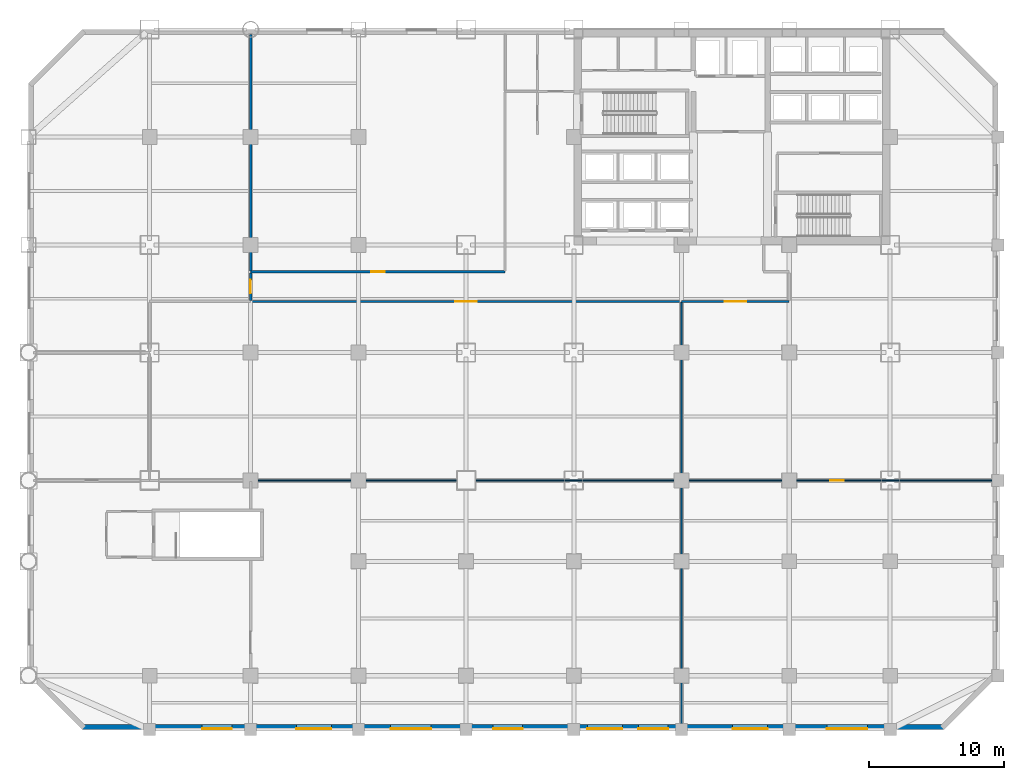
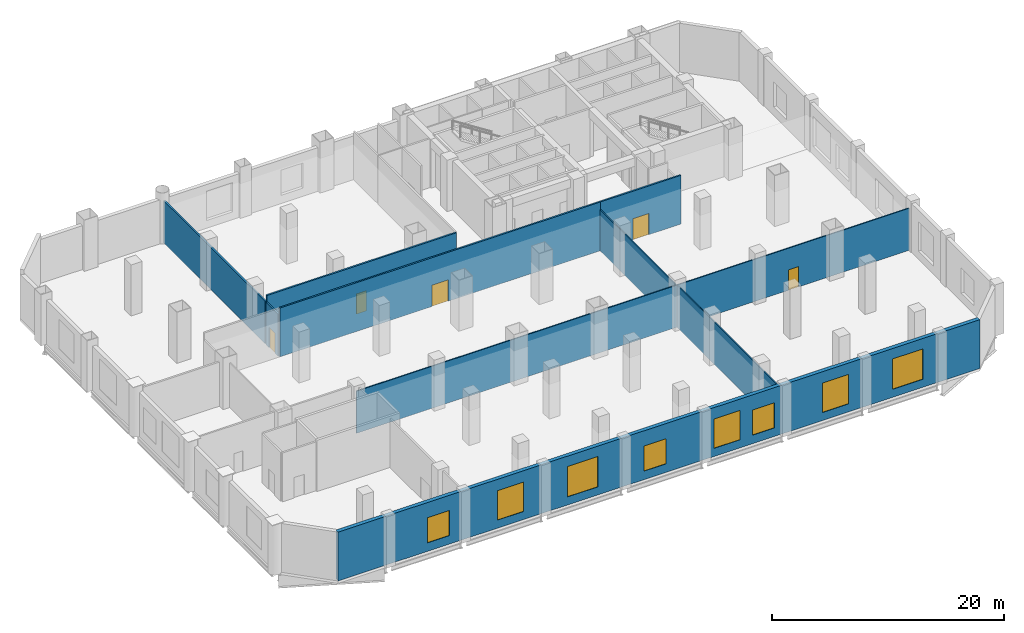
# One storey, part 5 of 9: 10 walls, 8 windows, 5 doors, 13 openings.
"""IFC4 building model written with IfcOpenShell, lengths in metres."""

from ifc_helpers import new_model, si_unit, direction, frame, frame_2d, origin, place, context, subcontext, project, spatial, rectangle, extrude, material, layer, layer_set, type_object, element, fill, save


model = new_model("IFC4")

# Units and contexts
model_context = context("Model", 3, precision=1e-05, world=origin(), true_north=direction((0.0, 1.0)))
body_context = subcontext(model_context, "Body", "Model", "MODEL_VIEW")
ifc_project = project(units=[si_unit("LENGTHUNIT", "METRE"), si_unit("AREAUNIT", "SQUARE_METRE"), si_unit("VOLUMEUNIT", "CUBIC_METRE"), si_unit("PLANEANGLEUNIT", "RADIAN"), si_unit("MASSUNIT", "GRAM", prefix="KILO")], contexts=[model_context])

# Site, building, storey
site_placement = place(None, origin())
site = spatial("IfcSite", under=ifc_project, at=site_placement, CompositionType="ELEMENT")
building_placement = place(site_placement, origin())
building = spatial("IfcBuilding", under=site, at=building_placement, Name="Qianrong Seaharbour Tower", CompositionType="ELEMENT")
storey_placement = place(building_placement, frame((0.0, 0.0, 22.800048828125)))
storey = spatial("IfcBuildingStorey", under=building, at=storey_placement, Name="L05", CompositionType="ELEMENT", Elevation=22.800048828125)

# Wall, opening, door
ifc_material_1 = material(Name="Fire-rated acoustic gypsum board partition")
ifc_layer_1 = layer(ifc_material_1, 0.1650390625)
ifc_layer_set_1 = layer_set([ifc_layer_1], Name="Fire-rated acoustic gypsum board partition")
wall_type_1 = type_object("IfcWallType", Name="WALL-CORR-PART-165", PredefinedType="PARTITIONING", material=ifc_layer_set_1)
wall_1_placement = place(storey_placement, frame((48.5, 31.800048828125, 0.0), z_axis=(0.0, 0.0, 1.0), x_axis=(-1.0, 0.0, 0.0)))
wall_1 = element("IfcWall", 1, at=wall_1_placement, inside=storey, type_object=wall_type_1, Name="L05 Interior Partition Wall 017", PredefinedType="PARTITIONING", context=body_context, shape_type="SweptSolid", body=[
    extrude(rectangle(XDim=32.0, YDim=0.1650390625, at=frame_2d((16.0, 0.0))), origin(), (0.0, 0.0, 1.0), 5.14990234375),
])
opening_1_placement = place(wall_1_placement, frame((15.199951171875, 0.0, 0.0)))
opening_1 = element("IfcOpeningElement", 2, at=opening_1_placement, cuts=wall_1, Name="Opening DL-01", PredefinedType="OPENING", context=body_context, shape_type="SweptSolid", body=[
    extrude(rectangle(XDim=1.60009765625, YDim=2.25, at=frame_2d((0.800048828125, 1.125))), frame((0.0, 0.092529296875, 0.0), z_axis=(0.0, -1.0, 0.0), x_axis=(1.0, 0.0, 0.0)), (0.0, 0.0, 1.0), 0.18505859375),
])
ifc_material_2 = material(Name="Acoustic timber and galvanized steel fire door assembly", Category="steel")
door_type_1 = type_object("IfcDoorType", Name="DOOR-LOBBY-PAIR-1600x2250", OperationType="DOUBLE_DOOR_SINGLE_SWING", PredefinedType="DOOR", material=ifc_material_2)
door_1_placement = place(opening_1_placement, origin())
door_1 = element("IfcDoor", 3, at=door_1_placement, inside=storey, type_object=door_type_1, Name="L05 Staff Restaurant Door", OperationType="DOUBLE_DOOR_SINGLE_SWING", OverallHeight=2.25, OverallWidth=1.60009765625, PredefinedType="DOOR", context=body_context, shape_type="SweptSolid", body=[
    extrude(rectangle(XDim=1.60009765625, YDim=2.25, at=frame_2d((0.800048828125, 1.125))), frame((0.0, 0.02490234375, 0.0), z_axis=(0.0, -1.0, 0.0), x_axis=(1.0, 0.0, 0.0)), (0.0, 0.0, 1.0), 0.050048828125),
])
fill(opening_1, door_1)

wall_2_placement = place(storey_placement, frame((56.5, 31.800048828125, 0.0), z_axis=(0.0, 0.0, 1.0), x_axis=(-1.0, 0.0, 0.0)))
wall_2 = element("IfcWall", 4, at=wall_2_placement, inside=storey, type_object=wall_type_1, Name="L05 Interior Partition Wall 022", PredefinedType="PARTITIONING", context=body_context, shape_type="SweptSolid", body=[
    extrude(rectangle(XDim=8.0, YDim=0.1650390625, at=frame_2d((4.0, 0.0))), origin(), (0.0, 0.0, 1.0), 5.14990234375),
])
opening_2_placement = place(wall_2_placement, frame((3.199951171875, 0.0, 0.0)))
opening_2 = element("IfcOpeningElement", 5, at=opening_2_placement, cuts=wall_2, Name="Opening DL-01", PredefinedType="OPENING", context=body_context, shape_type="SweptSolid", body=[
    extrude(rectangle(XDim=1.60009765625, YDim=2.25, at=frame_2d((0.800048828125, 1.125))), frame((0.0, 0.092529296875, 0.0), z_axis=(0.0, -1.0, 0.0), x_axis=(1.0, 0.0, 0.0)), (0.0, 0.0, 1.0), 0.18505859375),
])
door_2_placement = place(opening_2_placement, origin())
door_2 = element("IfcDoor", 6, at=door_2_placement, inside=storey, type_object=door_type_1, Name="L05 Executive Dining Room Door", OperationType="DOUBLE_DOOR_SINGLE_SWING", OverallHeight=2.25, OverallWidth=1.60009765625, PredefinedType="DOOR", context=body_context, shape_type="SweptSolid", body=[
    extrude(rectangle(XDim=1.60009765625, YDim=2.25, at=frame_2d((0.800048828125, 1.125))), frame((0.0, 0.02490234375, 0.0), z_axis=(0.0, -1.0, 0.0), x_axis=(1.0, 0.0, 0.0)), (0.0, 0.0, 1.0), 0.050048828125),
])
fill(opening_2, door_2)

wall_3_placement = place(storey_placement, frame((16.5, 34.0, 0.0), z_axis=(0.0, 0.0, 1.0), x_axis=(1.0, 0.0, 0.0)))
wall_3 = element("IfcWall", 7, at=wall_3_placement, inside=storey, type_object=wall_type_1, Name="L05 Interior Partition Wall 023", PredefinedType="PARTITIONING", context=body_context, shape_type="SweptSolid", body=[
    extrude(rectangle(XDim=18.89990234375, YDim=0.1650390625, at=frame_2d((9.449951171875, 0.0))), origin(), (0.0, 0.0, 1.0), 5.14990234375),
])
opening_3_placement = place(wall_3_placement, frame((8.949951171875, 0.0, 0.0)))
opening_3 = element("IfcOpeningElement", 8, at=opening_3_placement, cuts=wall_3, Name="Opening DO-01", PredefinedType="OPENING", context=body_context, shape_type="SweptSolid", body=[
    extrude(rectangle(XDim=1.0, YDim=2.14990234375, at=frame_2d((0.5, 1.074951171875))), frame((0.0, 0.092529296875, 0.0), z_axis=(0.0, -1.0, 0.0), x_axis=(1.0, 0.0, 0.0)), (0.0, 0.0, 1.0), 0.18505859375),
])
door_type_2 = type_object("IfcDoorType", Name="DOOR-OFFICE-1000x2150", OperationType="NOTDEFINED", PredefinedType="DOOR", material=ifc_material_2)
door_3_placement = place(opening_3_placement, origin())
door_3 = element("IfcDoor", 9, at=door_3_placement, inside=storey, type_object=door_type_2, Name="L05 Catering Management Open-Plan Office Door", OperationType="SINGLE_SWING_LEFT", OverallHeight=2.14990234375, OverallWidth=1.0, PredefinedType="DOOR", context=body_context, shape_type="SweptSolid", body=[
    extrude(rectangle(XDim=1.0, YDim=2.14990234375, at=frame_2d((0.5, 1.074951171875))), frame((0.0, 0.02490234375, 0.0), z_axis=(0.0, -1.0, 0.0), x_axis=(1.0, 0.0, 0.0)), (0.0, 0.0, 1.0), 0.050048828125),
])
fill(opening_3, door_3)

# Walls
ifc_material_3 = material(Name="Demountable aluminium-framed acoustic office partition", Category="aluminium")
ifc_layer_2 = layer(ifc_material_3, 0.110107421875)
ifc_layer_set_2 = layer_set([ifc_layer_2], Name="Demountable aluminium-framed acoustic office partition")
wall_type_2 = type_object("IfcWallType", Name="WALL-DEMOUNT-110", PredefinedType="MOVABLE", material=ifc_layer_set_2)
wall_4_placement = place(storey_placement, frame((48.5, 18.5, 0.0), z_axis=(0.0, 0.0, 1.0), x_axis=(-1.0, 0.0, 0.0)))
element("IfcWall", 10, at=wall_4_placement, inside=storey, type_object=wall_type_2, Name="L05 Interior Partition Wall 025", PredefinedType="MOVABLE", context=body_context, shape_type="SweptSolid", body=[
    extrude(rectangle(XDim=32.0, YDim=0.110107421875, at=frame_2d((16.0, 0.0))), origin(), (0.0, 0.0, 1.0), 4.44189453125),
])
wall_5_placement = place(storey_placement, frame((48.5, 31.7255859375, 0.0), z_axis=(0.0, 0.0, 1.0), x_axis=(0.0, -1.0, 0.0)))
element("IfcWall", 11, at=wall_5_placement, inside=storey, type_object=wall_type_2, Name="L05 Interior Partition Wall 029", PredefinedType="MOVABLE", context=body_context, shape_type="SweptSolid", body=[
    extrude(rectangle(XDim=13.178466796875, YDim=0.110107421875, at=frame_2d((6.58935546875, 0.0))), origin(), (0.0, 0.0, 1.0), 4.342041015625),
])
wall_6_placement = place(storey_placement, frame((48.5, 18.452880859375, 0.0), z_axis=(0.0, 0.0, 1.0), x_axis=(0.0, -1.0, 0.0)))
element("IfcWall", 12, at=wall_6_placement, inside=storey, type_object=wall_type_2, Name="L05 Interior Partition Wall 031", PredefinedType="MOVABLE", context=body_context, shape_type="SweptSolid", body=[
    extrude(rectangle(XDim=18.080810546875, YDim=0.110107421875, at=frame_2d((9.04052734375, 0.0))), origin(), (0.0, 0.0, 1.0), 4.44189453125),
])

# Wall, opening, door
wall_7_placement = place(storey_placement, frame((71.6279296875, 18.5, 0.0), z_axis=(0.0, 0.0, 1.0), x_axis=(-1.0, 0.0, 0.0)))
wall_7 = element("IfcWall", 13, at=wall_7_placement, inside=storey, type_object=wall_type_2, Name="L05 Interior Partition Wall 037", PredefinedType="MOVABLE", context=body_context, shape_type="SweptSolid", body=[
    extrude(rectangle(XDim=23.1279296875, YDim=0.110107421875, at=frame_2d((11.56396484375, 0.0))), origin(), (0.0, 0.0, 1.0), 4.44189453125),
])
opening_4_placement = place(wall_7_placement, frame((11.06396484375, 0.0, 0.0)))
opening_4 = element("IfcOpeningElement", 14, at=opening_4_placement, cuts=wall_7, Name="Opening DO-01", PredefinedType="OPENING", context=body_context, shape_type="SweptSolid", body=[
    extrude(rectangle(XDim=1.0, YDim=2.14990234375, at=frame_2d((0.5, 1.074951171875))), frame((0.0, 0.06494140625, 0.0), z_axis=(0.0, -1.0, 0.0), x_axis=(1.0, 0.0, 0.0)), (0.0, 0.0, 1.0), 0.130126953125),
])
door_4_placement = place(opening_4_placement, origin())
door_4 = element("IfcDoor", 15, at=door_4_placement, inside=storey, type_object=door_type_2, Name="L05 Staff Tea Lounge Door", OperationType="SINGLE_SWING_RIGHT", OverallHeight=2.14990234375, OverallWidth=1.0, PredefinedType="DOOR", context=body_context, shape_type="SweptSolid", body=[
    extrude(rectangle(XDim=1.0, YDim=2.14990234375, at=frame_2d((0.5, 1.074951171875))), frame((0.0, 0.02490234375, 0.0), z_axis=(0.0, -1.0, 0.0), x_axis=(1.0, 0.0, 0.0)), (0.0, 0.0, 1.0), 0.050048828125),
])
fill(opening_4, door_4)

# Wall, openings, windows
ifc_material_4 = material(Name="Natural honed granite dimension stone", Category="masonry")
ifc_layer_3 = layer(ifc_material_4, 0.3798828125)
ifc_layer_set_3 = layer_set([ifc_layer_3], Name="Natural honed granite dimension stone")
wall_type_3 = type_object("IfcWallType", Name="WALL-EXT-GRANITE-380", PredefinedType="SOLIDWALL", material=ifc_layer_set_3)
wall_8_placement = place(storey_placement, frame((68.0, 0.18994140625, 0.0), z_axis=(0.0, 0.0, 1.0), x_axis=(-1.0, 0.0, 0.0)))
wall_8 = element("IfcWall", 16, at=wall_8_placement, inside=storey, type_object=wall_type_3, Name="L05 Exterior Masonry Facade Wall SOUTH_TIP", PredefinedType="SOLIDWALL", context=body_context, shape_type="SweptSolid", body=[
    extrude(rectangle(XDim=64.0, YDim=0.3798828125, at=frame_2d((32.0, 0.0))), origin(), (0.0, 0.0, 1.0), 5.14990234375),
])
opening_5_placement = place(wall_8_placement, frame((5.699951171875, 0.0, 0.85009765625)))
opening_5 = element("IfcOpeningElement", 17, at=opening_5_placement, cuts=wall_8, Name="Opening WN-12", PredefinedType="OPENING", context=body_context, shape_type="SweptSolid", body=[
    extrude(rectangle(XDim=3.0, YDim=3.199951171875, at=frame_2d((1.5, 1.60009765625))), frame((0.0, 0.199951171875, 0.0), z_axis=(0.0, -1.0, 0.0), x_axis=(1.0, 0.0, 0.0)), (0.0, 0.0, 1.0), 0.39990234375),
])
opening_6_placement = place(wall_8_placement, frame((13.10009765625, 0.0, 0.85009765625)))
opening_6 = element("IfcOpeningElement", 18, at=opening_6_placement, cuts=wall_8, Name="Opening WN-11", PredefinedType="OPENING", context=body_context, shape_type="SweptSolid", body=[
    extrude(rectangle(XDim=2.60009765625, YDim=3.10009765625, at=frame_2d((1.300048828125, 1.550048828125))), frame((0.0, 0.199951171875, 0.0), z_axis=(0.0, -1.0, 0.0), x_axis=(1.0, 0.0, 0.0)), (0.0, 0.0, 1.0), 0.39990234375),
])
opening_7_placement = place(wall_8_placement, frame((20.5, 0.0, 0.89990234375)))
opening_7 = element("IfcOpeningElement", 19, at=opening_7_placement, cuts=wall_8, Name="Opening WN-10", PredefinedType="OPENING", context=body_context, shape_type="SweptSolid", body=[
    extrude(rectangle(XDim=2.199951171875, YDim=2.64990234375, at=frame_2d((1.10009765625, 1.324951171875))), frame((0.0, 0.199951171875, 0.0), z_axis=(0.0, -1.0, 0.0), x_axis=(1.0, 0.0, 0.0)), (0.0, 0.0, 1.0), 0.39990234375),
])
opening_8_placement = place(wall_8_placement, frame((23.89990234375, 0.0, 0.85009765625)))
opening_8 = element("IfcOpeningElement", 20, at=opening_8_placement, cuts=wall_8, Name="Opening WN-11", PredefinedType="OPENING", context=body_context, shape_type="SweptSolid", body=[
    extrude(rectangle(XDim=2.60009765625, YDim=3.10009765625, at=frame_2d((1.300048828125, 1.550048828125))), frame((0.0, 0.199951171875, 0.0), z_axis=(0.0, -1.0, 0.0), x_axis=(1.0, 0.0, 0.0)), (0.0, 0.0, 1.0), 0.39990234375),
])
opening_9_placement = place(wall_8_placement, frame((31.300048828125, 0.0, 0.89990234375)))
opening_9 = element("IfcOpeningElement", 21, at=opening_9_placement, cuts=wall_8, Name="Opening WN-10", PredefinedType="OPENING", context=body_context, shape_type="SweptSolid", body=[
    extrude(rectangle(XDim=2.199951171875, YDim=2.64990234375, at=frame_2d((1.10009765625, 1.324951171875))), frame((0.0, 0.199951171875, 0.0), z_axis=(0.0, -1.0, 0.0), x_axis=(1.0, 0.0, 0.0)), (0.0, 0.0, 1.0), 0.39990234375),
])
opening_10_placement = place(wall_8_placement, frame((38.10009765625, 0.0, 0.85009765625)))
opening_10 = element("IfcOpeningElement", 22, at=opening_10_placement, cuts=wall_8, Name="Opening WN-12", PredefinedType="OPENING", context=body_context, shape_type="SweptSolid", body=[
    extrude(rectangle(XDim=3.0, YDim=3.199951171875, at=frame_2d((1.5, 1.60009765625))), frame((0.0, 0.199951171875, 0.0), z_axis=(0.0, -1.0, 0.0), x_axis=(1.0, 0.0, 0.0)), (0.0, 0.0, 1.0), 0.39990234375),
])
opening_11_placement = place(wall_8_placement, frame((45.5, 0.0, 0.85009765625)))
opening_11 = element("IfcOpeningElement", 23, at=opening_11_placement, cuts=wall_8, Name="Opening WN-11", PredefinedType="OPENING", context=body_context, shape_type="SweptSolid", body=[
    extrude(rectangle(XDim=2.60009765625, YDim=3.10009765625, at=frame_2d((1.300048828125, 1.550048828125))), frame((0.0, 0.199951171875, 0.0), z_axis=(0.0, -1.0, 0.0), x_axis=(1.0, 0.0, 0.0)), (0.0, 0.0, 1.0), 0.39990234375),
])
opening_12_placement = place(wall_8_placement, frame((52.89990234375, 0.0, 0.89990234375)))
opening_12 = element("IfcOpeningElement", 24, at=opening_12_placement, cuts=wall_8, Name="Opening WN-10", PredefinedType="OPENING", context=body_context, shape_type="SweptSolid", body=[
    extrude(rectangle(XDim=2.199951171875, YDim=2.64990234375, at=frame_2d((1.10009765625, 1.324951171875))), frame((0.0, 0.199951171875, 0.0), z_axis=(0.0, -1.0, 0.0), x_axis=(1.0, 0.0, 0.0)), (0.0, 0.0, 1.0), 0.39990234375),
])
ifc_material_5 = material(Name="Insulated low-e double glazing in thermally broken aluminium 6063-T6 frame", Category="aluminium")
window_type_1 = type_object("IfcWindowType", Name="WIN-POD-2600x3100", PartitioningType="TRIPLE_PANEL_VERTICAL", PredefinedType="WINDOW", material=ifc_material_5)
window_1_placement = place(opening_6_placement, origin())
window_1 = element("IfcWindow", 25, at=window_1_placement, inside=storey, type_object=window_type_1, Name="L05 Deep-Set Punched Window 06.04", OverallHeight=3.10009765625, OverallWidth=2.60009765625, PartitioningType="TRIPLE_PANEL_VERTICAL", PredefinedType="WINDOW", context=body_context, shape_type="SweptSolid", body=[
    extrude(rectangle(XDim=2.60009765625, YDim=3.10009765625, at=frame_2d((1.300048828125, 1.550048828125))), frame((0.0, 0.150146484375, 0.0), z_axis=(0.0, -1.0, 0.0), x_axis=(1.0, 0.0, 0.0)), (0.0, 0.0, 1.0), 0.06005859375),
])
fill(opening_6, window_1)
window_2_placement = place(opening_8_placement, origin())
window_2 = element("IfcWindow", 26, at=window_2_placement, inside=storey, type_object=window_type_1, Name="L05 Deep-Set Punched Window 06.07", OverallHeight=3.10009765625, OverallWidth=2.60009765625, PartitioningType="TRIPLE_PANEL_VERTICAL", PredefinedType="WINDOW", context=body_context, shape_type="SweptSolid", body=[
    extrude(rectangle(XDim=2.60009765625, YDim=3.10009765625, at=frame_2d((1.300048828125, 1.550048828125))), frame((0.0, 0.150146484375, 0.0), z_axis=(0.0, -1.0, 0.0), x_axis=(1.0, 0.0, 0.0)), (0.0, 0.0, 1.0), 0.06005859375),
])
fill(opening_8, window_2)
window_3_placement = place(opening_11_placement, origin())
window_3 = element("IfcWindow", 27, at=window_3_placement, inside=storey, type_object=window_type_1, Name="L05 Deep-Set Punched Window 06.13", OverallHeight=3.10009765625, OverallWidth=2.60009765625, PartitioningType="TRIPLE_PANEL_VERTICAL", PredefinedType="WINDOW", context=body_context, shape_type="SweptSolid", body=[
    extrude(rectangle(XDim=2.60009765625, YDim=3.10009765625, at=frame_2d((1.300048828125, 1.550048828125))), frame((0.0, 0.150146484375, 0.0), z_axis=(0.0, -1.0, 0.0), x_axis=(1.0, 0.0, 0.0)), (0.0, 0.0, 1.0), 0.06005859375),
])
fill(opening_11, window_3)
window_type_2 = type_object("IfcWindowType", Name="WIN-POD-3000x3200", PartitioningType="TRIPLE_PANEL_VERTICAL", PredefinedType="WINDOW", material=ifc_material_5)
window_4_placement = place(opening_5_placement, origin())
window_4 = element("IfcWindow", 28, at=window_4_placement, inside=storey, type_object=window_type_2, Name="L05 Deep-Set Punched Window 06.02", OverallHeight=3.199951171875, OverallWidth=3.0, PartitioningType="TRIPLE_PANEL_VERTICAL", PredefinedType="WINDOW", context=body_context, shape_type="SweptSolid", body=[
    extrude(rectangle(XDim=3.0, YDim=3.199951171875, at=frame_2d((1.5, 1.60009765625))), frame((0.0, 0.150146484375, 0.0), z_axis=(0.0, -1.0, 0.0), x_axis=(1.0, 0.0, 0.0)), (0.0, 0.0, 1.0), 0.06005859375),
])
fill(opening_5, window_4)
window_5_placement = place(opening_10_placement, origin())
window_5 = element("IfcWindow", 29, at=window_5_placement, inside=storey, type_object=window_type_2, Name="L05 Deep-Set Punched Window 06.11", OverallHeight=3.199951171875, OverallWidth=3.0, PartitioningType="TRIPLE_PANEL_VERTICAL", PredefinedType="WINDOW", context=body_context, shape_type="SweptSolid", body=[
    extrude(rectangle(XDim=3.0, YDim=3.199951171875, at=frame_2d((1.5, 1.60009765625))), frame((0.0, 0.150146484375, 0.0), z_axis=(0.0, -1.0, 0.0), x_axis=(1.0, 0.0, 0.0)), (0.0, 0.0, 1.0), 0.06005859375),
])
fill(opening_10, window_5)
window_type_3 = type_object("IfcWindowType", Name="WIN-PUNCH-2200x2650", PartitioningType="TRIPLE_PANEL_VERTICAL", PredefinedType="WINDOW", material=ifc_material_5)
window_6_placement = place(opening_7_placement, origin())
window_6 = element("IfcWindow", 30, at=window_6_placement, inside=storey, type_object=window_type_3, Name="L05 Deep-Set Punched Window 06.06", OverallHeight=2.64990234375, OverallWidth=2.199951171875, PartitioningType="TRIPLE_PANEL_VERTICAL", PredefinedType="WINDOW", context=body_context, shape_type="SweptSolid", body=[
    extrude(rectangle(XDim=2.199951171875, YDim=2.64990234375, at=frame_2d((1.10009765625, 1.324951171875))), frame((0.0, 0.150146484375, 0.0), z_axis=(0.0, -1.0, 0.0), x_axis=(1.0, 0.0, 0.0)), (0.0, 0.0, 1.0), 0.06005859375),
])
fill(opening_7, window_6)
window_7_placement = place(opening_9_placement, origin())
window_7 = element("IfcWindow", 31, at=window_7_placement, inside=storey, type_object=window_type_3, Name="L05 Deep-Set Punched Window 06.09", OverallHeight=2.64990234375, OverallWidth=2.199951171875, PartitioningType="TRIPLE_PANEL_VERTICAL", PredefinedType="WINDOW", context=body_context, shape_type="SweptSolid", body=[
    extrude(rectangle(XDim=2.199951171875, YDim=2.64990234375, at=frame_2d((1.10009765625, 1.324951171875))), frame((0.0, 0.150146484375, 0.0), z_axis=(0.0, -1.0, 0.0), x_axis=(1.0, 0.0, 0.0)), (0.0, 0.0, 1.0), 0.06005859375),
])
fill(opening_9, window_7)
window_8_placement = place(opening_12_placement, origin())
window_8 = element("IfcWindow", 32, at=window_8_placement, inside=storey, type_object=window_type_3, Name="L05 Deep-Set Punched Window 06.15", OverallHeight=2.64990234375, OverallWidth=2.199951171875, PartitioningType="TRIPLE_PANEL_VERTICAL", PredefinedType="WINDOW", context=body_context, shape_type="SweptSolid", body=[
    extrude(rectangle(XDim=2.199951171875, YDim=2.64990234375, at=frame_2d((1.10009765625, 1.324951171875))), frame((0.0, 0.150146484375, 0.0), z_axis=(0.0, -1.0, 0.0), x_axis=(1.0, 0.0, 0.0)), (0.0, 0.0, 1.0), 0.06005859375),
])
fill(opening_12, window_8)

# Wall, opening, door
ifc_material_6 = material(Name="Moisture and fire-rated masonry block partition", Category="masonry")
ifc_layer_4 = layer(ifc_material_6, 0.175048828125)
ifc_layer_set_4 = layer_set([ifc_layer_4], Name="Moisture and fire-rated masonry block partition")
wall_type_4 = type_object("IfcWallType", Name="WALL-KITCH-PART-175", PredefinedType="PARTITIONING", material=ifc_layer_set_4)
wall_9_placement = place(storey_placement, frame((16.5, 31.87939453125, 0.0), z_axis=(0.0, 0.0, 1.0), x_axis=(0.0, 1.0, 0.0)))
wall_9 = element("IfcWall", 33, at=wall_9_placement, inside=storey, type_object=wall_type_4, Name="L05 Interior Partition Wall 018", PredefinedType="PARTITIONING", context=body_context, shape_type="SweptSolid", body=[
    extrude(rectangle(XDim=2.046142578125, YDim=0.175048828125, at=frame_2d((1.02294921875, 0.0))), origin(), (0.0, 0.0, 1.0), 4.44189453125),
])
opening_13_placement = place(wall_9_placement, frame((0.52294921875, 0.0, 0.0)))
opening_13 = element("IfcOpeningElement", 34, at=opening_13_placement, cuts=wall_9, Name="Opening DO-01", PredefinedType="OPENING", context=body_context, shape_type="SweptSolid", body=[
    extrude(rectangle(XDim=1.0, YDim=2.14990234375, at=frame_2d((0.5, 1.074951171875))), frame((0.0, 0.09765625, 0.0), z_axis=(0.0, -1.0, 0.0), x_axis=(1.0, 0.0, 0.0)), (0.0, 0.0, 1.0), 0.195068359375),
])
door_5_placement = place(opening_13_placement, origin())
door_5 = element("IfcDoor", 35, at=door_5_placement, inside=storey, type_object=door_type_2, Name="L05 Commercial Kitchen Door", OperationType="SINGLE_SWING_RIGHT", OverallHeight=2.14990234375, OverallWidth=1.0, PredefinedType="DOOR", context=body_context, shape_type="SweptSolid", body=[
    extrude(rectangle(XDim=1.0, YDim=2.14990234375, at=frame_2d((0.5, 1.074951171875))), frame((0.0, 0.02490234375, 0.0), z_axis=(0.0, -1.0, 0.0), x_axis=(1.0, 0.0, 0.0)), (0.0, 0.0, 1.0), 0.050048828125),
])
fill(opening_13, door_5)

# Wall
wall_10_placement = place(storey_placement, frame((16.5, 51.6279296875, 0.0), z_axis=(0.0, 0.0, 1.0), x_axis=(0.0, -1.0, 0.0)))
element("IfcWall", 36, at=wall_10_placement, inside=storey, type_object=wall_type_4, Name="L05 Interior Partition Wall 035", PredefinedType="PARTITIONING", context=body_context, shape_type="SweptSolid", body=[
    extrude(rectangle(XDim=17.553466796875, YDim=0.175048828125, at=frame_2d((8.77685546875, 0.0))), origin(), (0.0, 0.0, 1.0), 4.44189453125),
])

save(model, "model.ifc")
